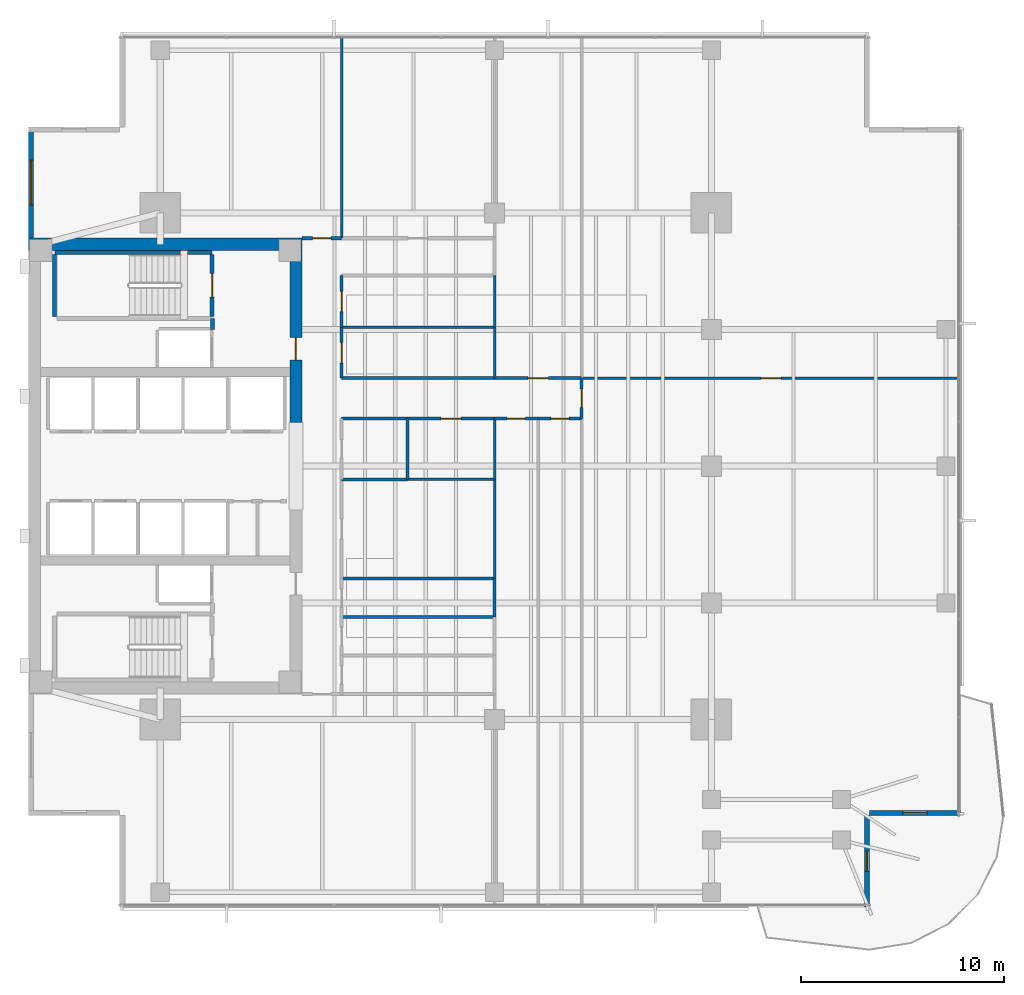
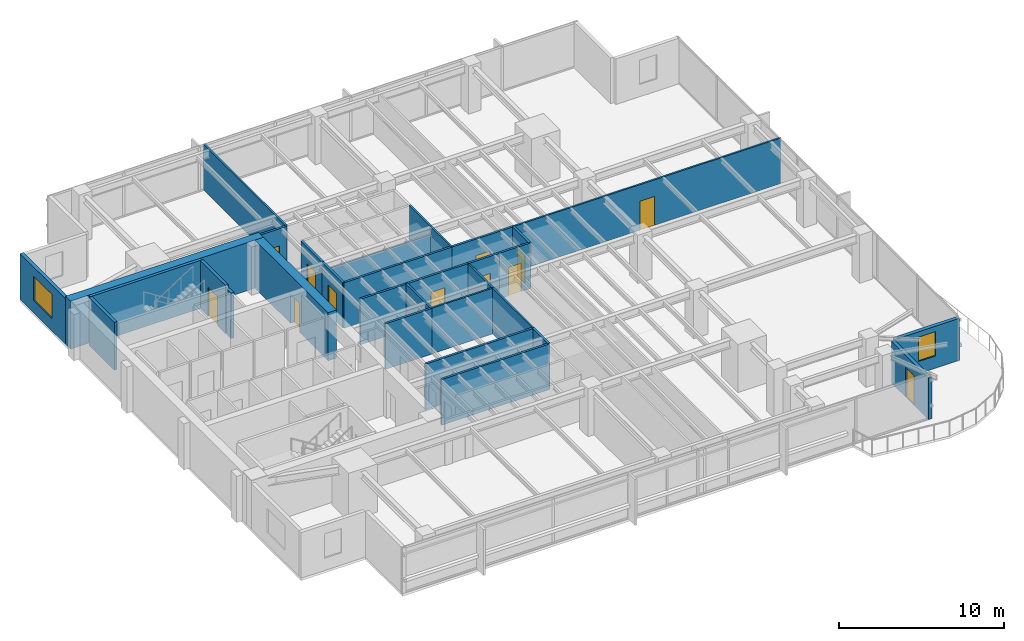
# One storey, part 9 of 14: 32 walls, 12 doors, 2 windows, 14 openings.
"""IFC4 building model written with IfcOpenShell, lengths in metres."""

from ifc_helpers import new_model, si_unit, direction, frame, frame_2d, origin, place, context, subcontext, project, spatial, rectangle, extrude, material, layer, layer_set, type_object, element, fill, save


model = new_model("IFC4")

# Units and contexts
model_context = context("Model", 3, precision=1e-05, world=origin(), true_north=direction((0.0, 1.0)))
body_context = subcontext(model_context, "Body", "Model", "MODEL_VIEW")
ifc_project = project(units=[si_unit("LENGTHUNIT", "METRE"), si_unit("AREAUNIT", "SQUARE_METRE"), si_unit("VOLUMEUNIT", "CUBIC_METRE"), si_unit("PLANEANGLEUNIT", "RADIAN"), si_unit("MASSUNIT", "GRAM", prefix="KILO")], contexts=[model_context])

# Site, building, storey
site_placement = place(None, origin())
site = spatial("IfcSite", under=ifc_project, at=site_placement, CompositionType="ELEMENT")
building_placement = place(site_placement, origin())
building = spatial("IfcBuilding", under=site, at=building_placement, Name="Kinhvarn Gate Tower", CompositionType="ELEMENT")
storey_placement = place(building_placement, frame((0.0, 0.0, 159.050048828125)))
storey = spatial("IfcBuildingStorey", under=building, at=storey_placement, Name="L42", CompositionType="ELEMENT", Elevation=159.050048828125)

# Wall
ifc_material_1 = material(Name="Concrete C60/75", Category="concrete")
ifc_layer_1 = layer(ifc_material_1, 0.60009765625)
ifc_layer_set_1 = layer_set([ifc_layer_1], Name="Concrete C60/75")
wall_type_1 = type_object("IfcWallType", Name="WL-CORE-600", PredefinedType="SHEAR", material=ifc_layer_set_1)
wall_1_placement = place(storey_placement, frame((4.5, 36.199951171875, 0.0), z_axis=(0.0, 0.0, 1.0), x_axis=(1.0, 0.0, 0.0)))
element("IfcWall", 1, at=wall_1_placement, inside=storey, type_object=wall_type_1, Name="Core North Shear Wall L42 600 mm", PredefinedType="SHEAR", context=body_context, shape_type="SweptSolid", body=[
    extrude(rectangle(XDim=13.5, YDim=0.60009765625, at=frame_2d((6.75, 0.0))), origin(), (0.0, 0.0, 1.0), 3.550048828125),
])

# Wall, opening, door
wall_2_placement = place(storey_placement, frame((17.699951171875, 27.050048828125, 0.0), z_axis=(0.0, 0.0, 1.0), x_axis=(0.0, 1.0, 0.0)))
wall_2 = element("IfcWall", 2, at=wall_2_placement, inside=storey, type_object=wall_type_1, Name="Core East-North Shear Pier L42 600 mm", PredefinedType="SHEAR", context=body_context, shape_type="SweptSolid", body=[
    extrude(rectangle(XDim=8.849853515625, YDim=0.60009765625, at=frame_2d((4.4248046875, 0.0))), origin(), (0.0, 0.0, 1.0), 3.550048828125),
])
opening_1_placement = place(wall_2_placement, frame((3.449951171875, 0.0, 0.0)))
opening_1 = element("IfcOpeningElement", 3, at=opening_1_placement, cuts=wall_2, Name="Opening FD-02", PredefinedType="OPENING", context=body_context, shape_type="SweptSolid", body=[
    extrude(rectangle(XDim=1.10009765625, YDim=2.14990234375, at=frame_2d((0.550048828125, 1.074951171875))), frame((0.0, 0.31005859375, 0.0), z_axis=(0.0, -1.0, 0.0), x_axis=(1.0, 0.0, 0.0)), (0.0, 0.0, 1.0), 0.6201171875),
])
ifc_material_2 = material(Name="Anodised aluminium AW-6063", Category="aluminium")
door_type_1 = type_object("IfcDoorType", Name="DR-FD-1100", OperationType="NOTDEFINED", PredefinedType="DOOR", material=ifc_material_2)
door_1_placement = place(opening_1_placement, origin())
door_1 = element("IfcDoor", 4, at=door_1_placement, inside=storey, type_object=door_type_1, Name="Firefighting Lobby Core Door (L42)", OperationType="SINGLE_SWING_LEFT", OverallHeight=2.14990234375, OverallWidth=1.10009765625, PredefinedType="DOOR", context=body_context, shape_type="SweptSolid", body=[
    extrude(rectangle(XDim=1.10009765625, YDim=2.14990234375, at=frame_2d((0.550048828125, 1.074951171875))), frame((0.0, 0.02490234375, 0.0), z_axis=(0.0, -1.0, 0.0), x_axis=(1.0, 0.0, 0.0)), (0.0, 0.0, 1.0), 0.050048828125),
])
fill(opening_1, door_1)

# Wall, opening, window
ifc_material_3 = material(Name="Fired architectural terracotta", Category="masonry")
ifc_layer_2 = layer(ifc_material_3, 0.25)
ifc_layer_set_2 = layer_set([ifc_layer_2], Name="Fired architectural terracotta")
wall_type_2 = type_object("IfcWallType", Name="WL-EXT-250", PredefinedType="SOLIDWALL", material=ifc_layer_set_2)
wall_3_placement = place(storey_placement, frame((4.625, 42.0, 0.0), z_axis=(0.0, 0.0, 1.0), x_axis=(0.0, -1.0, 0.0)))
wall_3 = element("IfcWall", 5, at=wall_3_placement, inside=storey, type_object=wall_type_2, Name="Exterior Solidwall Wall EW-250 (L42 West-North)", PredefinedType="SOLIDWALL", context=body_context, shape_type="SweptSolid", body=[
    extrude(rectangle(XDim=5.5, YDim=0.25, at=frame_2d((2.75, 0.0))), origin(), (0.0, 0.0, 1.0), 3.369873046875),
])
opening_2_placement = place(wall_3_placement, frame((1.64990234375, 0.0, 0.89990234375)))
opening_2 = element("IfcOpeningElement", 6, at=opening_2_placement, cuts=wall_3, Name="Opening WN-01", PredefinedType="OPENING", context=body_context, shape_type="SweptSolid", body=[
    extrude(rectangle(XDim=2.199951171875, YDim=1.800048828125, at=frame_2d((1.10009765625, 0.89990234375))), frame((0.0, 0.135009765625, 0.0), z_axis=(0.0, -1.0, 0.0), x_axis=(1.0, 0.0, 0.0)), (0.0, 0.0, 1.0), 0.27001953125),
])
ifc_material_4 = material(Name="Clear low-e double glazing", Category="glass")
window_type_1 = type_object("IfcWindowType", Name="WIN-RIB-2200", PartitioningType="SINGLE_PANEL", PredefinedType="WINDOW", material=ifc_material_4)
window_1_placement = place(opening_2_placement, origin())
window_1 = element("IfcWindow", 7, at=window_1_placement, inside=storey, type_object=window_type_1, Name="West Flank Double-Glazed Ribbon Window 2200x1800 mm (L42)", OverallHeight=1.800048828125, OverallWidth=2.199951171875, PartitioningType="SINGLE_PANEL", PredefinedType="WINDOW", context=body_context, shape_type="SweptSolid", body=[
    extrude(rectangle(XDim=2.199951171875, YDim=1.800048828125, at=frame_2d((1.10009765625, 0.89990234375))), frame((0.0, 0.030029296875, 0.0), z_axis=(0.0, -1.0, 0.0), x_axis=(1.0, 0.0, 0.0)), (0.0, 0.0, 1.0), 0.06005859375),
])
fill(opening_2, window_1)

# Wall, opening, door
wall_4_placement = place(storey_placement, frame((45.875, 3.5, 0.0), z_axis=(0.0, 0.0, 1.0), x_axis=(0.0, 1.0, 0.0)))
wall_4 = element("IfcWall", 8, at=wall_4_placement, inside=storey, type_object=wall_type_2, Name="Exterior Solidwall Wall EW-250 (L42 SE-Notch-Door)", PredefinedType="SOLIDWALL", context=body_context, shape_type="SweptSolid", body=[
    extrude(rectangle(XDim=4.5, YDim=0.25, at=frame_2d((2.25, 0.0))), origin(), (0.0, 0.0, 1.0), 3.070068359375),
])
opening_3_placement = place(wall_4_placement, frame((1.75, 0.0, 0.0)))
opening_3 = element("IfcOpeningElement", 9, at=opening_3_placement, cuts=wall_4, Name="Opening BD-01", PredefinedType="OPENING", context=body_context, shape_type="SweptSolid", body=[
    extrude(rectangle(XDim=1.0, YDim=2.199951171875, at=frame_2d((0.5, 1.10009765625))), frame((0.0, 0.135009765625, 0.0), z_axis=(0.0, -1.0, 0.0), x_axis=(1.0, 0.0, 0.0)), (0.0, 0.0, 1.0), 0.27001953125),
])
door_type_2 = type_object("IfcDoorType", Name="DR-BAL-1000", OperationType="NOTDEFINED", PredefinedType="DOOR", material=ifc_material_4)
door_2_placement = place(opening_3_placement, frame((1.0, 0.0, 0.0), z_axis=(0.0, 0.0, 1.0), x_axis=(-1.0, 0.0, 0.0)))
door_2 = element("IfcDoor", 10, at=door_2_placement, inside=storey, type_object=door_type_2, Name="S-Carve Balcony Door BD-01 (L42)", OperationType="SINGLE_SWING_LEFT", OverallHeight=2.199951171875, OverallWidth=1.0, PredefinedType="DOOR", context=body_context, shape_type="SweptSolid", body=[
    extrude(rectangle(XDim=1.0, YDim=2.199951171875, at=frame_2d((0.5, 1.10009765625))), frame((0.0, 0.02490234375, 0.0), z_axis=(0.0, -1.0, 0.0), x_axis=(1.0, 0.0, 0.0)), (0.0, 0.0, 1.0), 0.050048828125),
])
fill(opening_3, door_2)

# Wall, opening, window
wall_5_placement = place(storey_placement, frame((46.0, 8.125, 0.0), z_axis=(0.0, 0.0, 1.0), x_axis=(1.0, 0.0, 0.0)))
wall_5 = element("IfcWall", 11, at=wall_5_placement, inside=storey, type_object=wall_type_2, Name="Exterior Solidwall Wall EW-250 (L42 SE-Notch-Win)", PredefinedType="SOLIDWALL", context=body_context, shape_type="SweptSolid", body=[
    extrude(rectangle(XDim=4.5, YDim=0.25, at=frame_2d((2.25, 0.0))), origin(), (0.0, 0.0, 1.0), 3.099853515625),
])
opening_4_placement = place(wall_5_placement, frame((1.64990234375, 0.0, 0.89990234375)))
opening_4 = element("IfcOpeningElement", 12, at=opening_4_placement, cuts=wall_5, Name="Opening WN-02", PredefinedType="OPENING", context=body_context, shape_type="SweptSolid", body=[
    extrude(rectangle(XDim=1.199951171875, YDim=1.800048828125, at=frame_2d((0.60009765625, 0.89990234375))), frame((0.0, 0.135009765625, 0.0), z_axis=(0.0, -1.0, 0.0), x_axis=(1.0, 0.0, 0.0)), (0.0, 0.0, 1.0), 0.27001953125),
])
window_type_2 = type_object("IfcWindowType", Name="WIN-NTC-1200", PartitioningType="SINGLE_PANEL", PredefinedType="WINDOW", material=ifc_material_4)
window_2_placement = place(opening_4_placement, origin())
window_2 = element("IfcWindow", 13, at=window_2_placement, inside=storey, type_object=window_type_2, Name="Recessed Corner Notch Punched Window 1200x1800 mm (L42)", OverallHeight=1.800048828125, OverallWidth=1.199951171875, PartitioningType="SINGLE_PANEL", PredefinedType="WINDOW", context=body_context, shape_type="SweptSolid", body=[
    extrude(rectangle(XDim=1.199951171875, YDim=1.800048828125, at=frame_2d((0.60009765625, 0.89990234375))), frame((0.0, 0.030029296875, 0.0), z_axis=(0.0, -1.0, 0.0), x_axis=(1.0, 0.0, 0.0)), (0.0, 0.0, 1.0), 0.06005859375),
])
fill(opening_4, window_2)

# Walls
ifc_material_5 = material(Name="Gypsum acoustic partition board")
ifc_layer_3 = layer(ifc_material_5, 0.14990234375)
ifc_layer_set_3 = layer_set([ifc_layer_3], Name="Gypsum acoustic partition board")
wall_type_3 = type_object("IfcWallType", Name="WL-PLM-150", PredefinedType="PLUMBINGWALL", material=ifc_layer_set_3)
wall_6_placement = place(storey_placement, frame((23.199951171875, 24.60009765625, 0.0), z_axis=(0.0, 0.0, 1.0), x_axis=(0.0, 1.0, 0.0)))
element("IfcWall", 14, at=wall_6_placement, inside=storey, type_object=wall_type_3, Name="Interior Partition PLW-150 (L42)", PredefinedType="PLUMBINGWALL", context=body_context, shape_type="SweptSolid", body=[
    extrude(rectangle(XDim=3.0, YDim=0.14990234375, at=frame_2d((1.5, 0.0))), origin(), (0.0, 0.0, 1.0), 3.369873046875),
])
wall_7_placement = place(storey_placement, frame((19.949951171875, 24.60009765625, 0.0), z_axis=(0.0, 0.0, 1.0), x_axis=(1.0, 0.0, 0.0)))
element("IfcWall", 15, at=wall_7_placement, inside=storey, type_object=wall_type_3, Name="Interior Partition PLW-150 (L42)", PredefinedType="PLUMBINGWALL", context=body_context, shape_type="SweptSolid", body=[
    extrude(rectangle(XDim=3.25, YDim=0.14990234375, at=frame_2d((1.625, 0.0))), origin(), (0.0, 0.0, 1.0), 3.369873046875),
])
for number, where, z_axis, x_axis, name in (
    (16, (19.949951171875, 19.699951171875, 0.0), (0.0, 0.0, 1.0), (1.0, 0.0, 0.0), "Interior Partition PLW-150 (L42)"),
    (17, (19.949951171875, 17.800048828125, 0.0), (0.0, 0.0, 1.0), (1.0, 0.0, 0.0), "Interior Partition PLW-150 (L42)"),
):
    element("IfcWall", number, at=place(storey_placement, frame(where, z_axis=z_axis, x_axis=x_axis)), inside=storey, type_object=wall_type_3, Name=name, PredefinedType="PLUMBINGWALL", context=body_context, shape_type="SweptSolid", body=[
        extrude(rectangle(XDim=7.550048828125, YDim=0.14990234375, at=frame_2d((3.77490234375, 0.0))), origin(), (0.0, 0.0, 1.0), 3.369873046875),
    ])
wall_8_placement = place(storey_placement, frame((27.5, 17.800048828125, 0.0), z_axis=(0.0, 0.0, 1.0), x_axis=(0.0, 1.0, 0.0)))
element("IfcWall", 18, at=wall_8_placement, inside=storey, type_object=wall_type_3, Name="Interior Partition PLW-150 (L42)", PredefinedType="PLUMBINGWALL", context=body_context, shape_type="SweptSolid", body=[
    extrude(rectangle(XDim=1.89990234375, YDim=0.14990234375, at=frame_2d((0.949951171875, 0.0))), origin(), (0.0, 0.0, 1.0), 3.369873046875),
])
ifc_layer_4 = layer(ifc_material_5, 0.14990234375)
ifc_layer_set_4 = layer_set([ifc_layer_4], Name="Gypsum acoustic partition board")
wall_type_4 = type_object("IfcWallType", Name="WL-PLM-150F", PredefinedType="PLUMBINGWALL", material=ifc_layer_set_4)
wall_9_placement = place(storey_placement, frame((19.949951171875, 27.60009765625, 0.0), z_axis=(0.0, 0.0, 1.0), x_axis=(1.0, 0.0, 0.0)))
element("IfcWall", 19, at=wall_9_placement, inside=storey, type_object=wall_type_4, Name="Interior Partition PLW-150F (L42)", PredefinedType="PLUMBINGWALL", context=body_context, shape_type="SweptSolid", body=[
    extrude(rectangle(XDim=3.25, YDim=0.14990234375, at=frame_2d((1.625, 0.0))), origin(), (0.0, 0.0, 1.0), 3.369873046875),
])
ifc_layer_5 = layer(ifc_material_5, 0.1201171875)
ifc_layer_set_5 = layer_set([ifc_layer_5], Name="Gypsum acoustic partition board")
wall_type_5 = type_object("IfcWallType", Name="WL-PRT-120", PredefinedType="PARTITIONING", material=ifc_layer_set_5)
wall_10_placement = place(storey_placement, frame((23.199951171875, 24.60009765625, 0.0), z_axis=(0.0, 0.0, 1.0), x_axis=(1.0, 0.0, 0.0)))
element("IfcWall", 20, at=wall_10_placement, inside=storey, type_object=wall_type_5, Name="Interior Partition PW-120 (L42)", PredefinedType="PARTITIONING", context=body_context, shape_type="SweptSolid", body=[
    extrude(rectangle(XDim=4.300048828125, YDim=0.1201171875, at=frame_2d((2.14990234375, 0.0))), origin(), (0.0, 0.0, 1.0), 3.369873046875),
])
wall_11_placement = place(storey_placement, frame((27.5, 24.60009765625, 0.0), z_axis=(0.0, 0.0, 1.0), x_axis=(0.0, 1.0, 0.0)))
element("IfcWall", 21, at=wall_11_placement, inside=storey, type_object=wall_type_5, Name="Interior Partition PW-120 (L42)", PredefinedType="PARTITIONING", context=body_context, shape_type="SweptSolid", body=[
    extrude(rectangle(XDim=3.0, YDim=0.1201171875, at=frame_2d((1.5, 0.0))), origin(), (0.0, 0.0, 1.0), 3.369873046875),
])
wall_12_placement = place(storey_placement, frame((27.5, 19.699951171875, 0.0), z_axis=(0.0, 0.0, 1.0), x_axis=(0.0, 1.0, 0.0)))
element("IfcWall", 22, at=wall_12_placement, inside=storey, type_object=wall_type_5, Name="Interior Partition PW-120 (L42)", PredefinedType="PARTITIONING", context=body_context, shape_type="SweptSolid", body=[
    extrude(rectangle(XDim=4.900146484375, YDim=0.1201171875, at=frame_2d((2.4501953125, 0.0))), origin(), (0.0, 0.0, 1.0), 3.369873046875),
])
wall_13_placement = place(storey_placement, frame((19.949951171875, 32.10009765625, 0.0), z_axis=(0.0, 0.0, 1.0), x_axis=(1.0, 0.0, 0.0)))
element("IfcWall", 23, at=wall_13_placement, inside=storey, type_object=wall_type_5, Name="Interior Partition PW-120 (L42)", PredefinedType="PARTITIONING", context=body_context, shape_type="SweptSolid", body=[
    extrude(rectangle(XDim=7.550048828125, YDim=0.1201171875, at=frame_2d((3.77490234375, 0.0))), origin(), (0.0, 0.0, 1.0), 2.77001953125),
])
wall_14_placement = place(storey_placement, frame((27.5, 29.60009765625, 0.0), z_axis=(0.0, 0.0, 1.0), x_axis=(0.0, 1.0, 0.0)))
element("IfcWall", 24, at=wall_14_placement, inside=storey, type_object=wall_type_5, Name="Interior Partition PW-120 (L42)", PredefinedType="PARTITIONING", context=body_context, shape_type="SweptSolid", body=[
    extrude(rectangle(XDim=2.5, YDim=0.1201171875, at=frame_2d((1.25, 0.0))), origin(), (0.0, 0.0, 1.0), 3.369873046875),
])
wall_15_placement = place(storey_placement, frame((27.5, 32.10009765625, 0.0), z_axis=(0.0, 0.0, 1.0), x_axis=(0.0, 1.0, 0.0)))
element("IfcWall", 25, at=wall_15_placement, inside=storey, type_object=wall_type_5, Name="Interior Partition PW-120 (L42)", PredefinedType="PARTITIONING", context=body_context, shape_type="SweptSolid", body=[
    extrude(rectangle(XDim=2.5498046875, YDim=0.1201171875, at=frame_2d((1.27490234375, 0.0))), origin(), (0.0, 0.0, 1.0), 3.369873046875),
])
wall_16_placement = place(storey_placement, frame((19.949951171875, 36.5, 0.0), z_axis=(0.0, 0.0, 1.0), x_axis=(0.0, 1.0, 0.0)))
element("IfcWall", 26, at=wall_16_placement, inside=storey, type_object=wall_type_5, Name="Interior Partition PW-120 (L42)", PredefinedType="PARTITIONING", context=body_context, shape_type="SweptSolid", body=[
    extrude(rectangle(XDim=9.989990234375, YDim=0.1201171875, at=frame_2d((4.9951171875, 0.0))), origin(), (0.0, 0.0, 1.0), 3.369873046875),
])

# Wall, opening, door
wall_17_placement = place(storey_placement, frame((31.800048828125, 29.60009765625, 0.0), z_axis=(0.0, 0.0, 1.0), x_axis=(1.0, 0.0, 0.0)))
wall_17 = element("IfcWall", 27, at=wall_17_placement, inside=storey, type_object=wall_type_5, Name="Interior Partition PW-120 (L42)", PredefinedType="PARTITIONING", context=body_context, shape_type="SweptSolid", body=[
    extrude(rectangle(XDim=18.68994140625, YDim=0.1201171875, at=frame_2d((9.344970703125, 0.0))), origin(), (0.0, 0.0, 1.0), 3.369873046875),
])
opening_5_placement = place(wall_17_placement, frame((8.844970703125, 0.0, 0.0)))
opening_5 = element("IfcOpeningElement", 28, at=opening_5_placement, cuts=wall_17, Name="Opening ID-02", PredefinedType="OPENING", context=body_context, shape_type="SweptSolid", body=[
    extrude(rectangle(XDim=1.0, YDim=2.14990234375, at=frame_2d((0.5, 1.074951171875))), frame((0.0, 0.070068359375, 0.0), z_axis=(0.0, -1.0, 0.0), x_axis=(1.0, 0.0, 0.0)), (0.0, 0.0, 1.0), 0.14013671875),
])
door_type_3 = type_object("IfcDoorType", Name="DR-INT-1000", OperationType="NOTDEFINED", PredefinedType="DOOR", material=ifc_material_2)
door_3_placement = place(opening_5_placement, origin())
door_3 = element("IfcDoor", 29, at=door_3_placement, inside=storey, type_object=door_type_3, Name="Standard Office & Meeting Room Door 1000x2150 mm (L42)", OperationType="SINGLE_SWING_RIGHT", OverallHeight=2.14990234375, OverallWidth=1.0, PredefinedType="DOOR", context=body_context, shape_type="SweptSolid", body=[
    extrude(rectangle(XDim=1.0, YDim=2.14990234375, at=frame_2d((0.5, 1.074951171875))), frame((0.0, 0.02490234375, 0.0), z_axis=(0.0, -1.0, 0.0), x_axis=(1.0, 0.0, 0.0)), (0.0, 0.0, 1.0), 0.050048828125),
])
fill(opening_5, door_3)

ifc_layer_6 = layer(ifc_material_5, 0.14990234375)
ifc_layer_set_6 = layer_set([ifc_layer_6], Name="Gypsum acoustic partition board")
wall_type_6 = type_object("IfcWallType", Name="WL-PRT-150F", PredefinedType="PARTITIONING", material=ifc_layer_set_6)
wall_18_placement = place(storey_placement, frame((19.949951171875, 29.60009765625, 0.0), z_axis=(0.0, 0.0, 1.0), x_axis=(0.0, 1.0, 0.0)))
wall_18 = element("IfcWall", 30, at=wall_18_placement, inside=storey, type_object=wall_type_6, Name="Interior Partition PW-150F (L42)", PredefinedType="PARTITIONING", context=body_context, shape_type="SweptSolid", body=[
    extrude(rectangle(XDim=2.5, YDim=0.14990234375, at=frame_2d((1.25, 0.0))), origin(), (0.0, 0.0, 1.0), 3.369873046875),
])
opening_6_placement = place(wall_18_placement, frame((0.75, 0.0, 0.0)))
opening_6 = element("IfcOpeningElement", 31, at=opening_6_placement, cuts=wall_18, Name="Opening ID-02", PredefinedType="OPENING", context=body_context, shape_type="SweptSolid", body=[
    extrude(rectangle(XDim=1.0, YDim=2.14990234375, at=frame_2d((0.5, 1.074951171875))), frame((0.0, 0.0849609375, 0.0), z_axis=(0.0, -1.0, 0.0), x_axis=(1.0, 0.0, 0.0)), (0.0, 0.0, 1.0), 0.169921875),
])
door_4_placement = place(opening_6_placement, origin())
door_4 = element("IfcDoor", 32, at=door_4_placement, inside=storey, type_object=door_type_3, Name="Standard Office & Meeting Room Door 1000x2150 mm (L42)", OperationType="SINGLE_SWING_RIGHT", OverallHeight=2.14990234375, OverallWidth=1.0, PredefinedType="DOOR", context=body_context, shape_type="SweptSolid", body=[
    extrude(rectangle(XDim=1.0, YDim=2.14990234375, at=frame_2d((0.5, 1.074951171875))), frame((0.0, 0.02490234375, 0.0), z_axis=(0.0, -1.0, 0.0), x_axis=(1.0, 0.0, 0.0)), (0.0, 0.0, 1.0), 0.050048828125),
])
fill(opening_6, door_4)

wall_19_placement = place(storey_placement, frame((19.949951171875, 32.10009765625, 0.0), z_axis=(0.0, 0.0, 1.0), x_axis=(0.0, 1.0, 0.0)))
wall_19 = element("IfcWall", 33, at=wall_19_placement, inside=storey, type_object=wall_type_6, Name="Interior Partition PW-150F (L42)", PredefinedType="PARTITIONING", context=body_context, shape_type="SweptSolid", body=[
    extrude(rectangle(XDim=2.5498046875, YDim=0.14990234375, at=frame_2d((1.27490234375, 0.0))), origin(), (0.0, 0.0, 1.0), 3.369873046875),
])
opening_7_placement = place(wall_19_placement, frame((0.77490234375, 0.0, 0.0)))
opening_7 = element("IfcOpeningElement", 34, at=opening_7_placement, cuts=wall_19, Name="Opening ID-02", PredefinedType="OPENING", context=body_context, shape_type="SweptSolid", body=[
    extrude(rectangle(XDim=1.0, YDim=2.14990234375, at=frame_2d((0.5, 1.074951171875))), frame((0.0, 0.0849609375, 0.0), z_axis=(0.0, -1.0, 0.0), x_axis=(1.0, 0.0, 0.0)), (0.0, 0.0, 1.0), 0.169921875),
])
door_5_placement = place(opening_7_placement, origin())
door_5 = element("IfcDoor", 35, at=door_5_placement, inside=storey, type_object=door_type_3, Name="Standard Office & Meeting Room Door 1000x2150 mm (L42)", OperationType="SINGLE_SWING_LEFT", OverallHeight=2.14990234375, OverallWidth=1.0, PredefinedType="DOOR", context=body_context, shape_type="SweptSolid", body=[
    extrude(rectangle(XDim=1.0, YDim=2.14990234375, at=frame_2d((0.5, 1.074951171875))), frame((0.0, 0.02490234375, 0.0), z_axis=(0.0, -1.0, 0.0), x_axis=(1.0, 0.0, 0.0)), (0.0, 0.0, 1.0), 0.050048828125),
])
fill(opening_7, door_5)

wall_20_placement = place(storey_placement, frame((18.0, 36.5, 0.0), z_axis=(0.0, 0.0, 1.0), x_axis=(1.0, 0.0, 0.0)))
wall_20 = element("IfcWall", 36, at=wall_20_placement, inside=storey, type_object=wall_type_6, Name="Interior Partition PW-150F (L42)", PredefinedType="PARTITIONING", context=body_context, shape_type="SweptSolid", body=[
    extrude(rectangle(XDim=1.949951171875, YDim=0.14990234375, at=frame_2d((0.97509765625, 0.0))), origin(), (0.0, 0.0, 1.0), 3.369873046875),
])
opening_8_placement = place(wall_20_placement, frame((0.52490234375, 0.0, 0.0)))
opening_8 = element("IfcOpeningElement", 37, at=opening_8_placement, cuts=wall_20, Name="Opening ID-03", PredefinedType="OPENING", context=body_context, shape_type="SweptSolid", body=[
    extrude(rectangle(XDim=0.89990234375, YDim=2.10009765625, at=frame_2d((0.449951171875, 1.050048828125))), frame((0.0, 0.0849609375, 0.0), z_axis=(0.0, -1.0, 0.0), x_axis=(1.0, 0.0, 0.0)), (0.0, 0.0, 1.0), 0.169921875),
])
door_type_4 = type_object("IfcDoorType", Name="DR-INT-900", OperationType="NOTDEFINED", PredefinedType="DOOR", material=ifc_material_2)
door_6_placement = place(opening_8_placement, origin())
door_6 = element("IfcDoor", 38, at=door_6_placement, inside=storey, type_object=door_type_4, Name="Cellular Office & Restroom Door 900x2100 mm (L42)", OperationType="SINGLE_SWING_LEFT", OverallHeight=2.10009765625, OverallWidth=0.89990234375, PredefinedType="DOOR", context=body_context, shape_type="SweptSolid", body=[
    extrude(rectangle(XDim=0.89990234375, YDim=2.10009765625, at=frame_2d((0.449951171875, 1.050048828125))), frame((0.0, 0.02490234375, 0.0), z_axis=(0.0, -1.0, 0.0), x_axis=(1.0, 0.0, 0.0)), (0.0, 0.0, 1.0), 0.050048828125),
])
fill(opening_8, door_6)

wall_21_placement = place(storey_placement, frame((23.199951171875, 27.60009765625, 0.0), z_axis=(0.0, 0.0, 1.0), x_axis=(1.0, 0.0, 0.0)))
wall_21 = element("IfcWall", 39, at=wall_21_placement, inside=storey, type_object=wall_type_6, Name="Interior Partition PW-150F (L42)", PredefinedType="PARTITIONING", context=body_context, shape_type="SweptSolid", body=[
    extrude(rectangle(XDim=4.300048828125, YDim=0.14990234375, at=frame_2d((2.14990234375, 0.0))), origin(), (0.0, 0.0, 1.0), 3.369873046875),
])
opening_9_placement = place(wall_21_placement, frame((1.64990234375, 0.0, 0.0)))
opening_9 = element("IfcOpeningElement", 40, at=opening_9_placement, cuts=wall_21, Name="Opening ID-02", PredefinedType="OPENING", context=body_context, shape_type="SweptSolid", body=[
    extrude(rectangle(XDim=1.0, YDim=2.14990234375, at=frame_2d((0.5, 1.074951171875))), frame((0.0, 0.0849609375, 0.0), z_axis=(0.0, -1.0, 0.0), x_axis=(1.0, 0.0, 0.0)), (0.0, 0.0, 1.0), 0.169921875),
])
door_7_placement = place(opening_9_placement, origin())
door_7 = element("IfcDoor", 41, at=door_7_placement, inside=storey, type_object=door_type_3, Name="Standard Office & Meeting Room Door 1000x2150 mm (L42)", OperationType="SINGLE_SWING_RIGHT", OverallHeight=2.14990234375, OverallWidth=1.0, PredefinedType="DOOR", context=body_context, shape_type="SweptSolid", body=[
    extrude(rectangle(XDim=1.0, YDim=2.14990234375, at=frame_2d((0.5, 1.074951171875))), frame((0.0, 0.02490234375, 0.0), z_axis=(0.0, -1.0, 0.0), x_axis=(1.0, 0.0, 0.0)), (0.0, 0.0, 1.0), 0.050048828125),
])
fill(opening_9, door_7)

# Wall
wall_22_placement = place(storey_placement, frame((19.949951171875, 29.60009765625, 0.0), z_axis=(0.0, 0.0, 1.0), x_axis=(1.0, 0.0, 0.0)))
element("IfcWall", 42, at=wall_22_placement, inside=storey, type_object=wall_type_6, Name="Interior Partition PW-150F (L42)", PredefinedType="PARTITIONING", context=body_context, shape_type="SweptSolid", body=[
    extrude(rectangle(XDim=7.550048828125, YDim=0.14990234375, at=frame_2d((3.77490234375, 0.0))), origin(), (0.0, 0.0, 1.0), 3.369873046875),
])

# Wall, opening, door
wall_23_placement = place(storey_placement, frame((27.5, 27.60009765625, 0.0), z_axis=(0.0, 0.0, 1.0), x_axis=(1.0, 0.0, 0.0)))
wall_23 = element("IfcWall", 43, at=wall_23_placement, inside=storey, type_object=wall_type_6, Name="Interior Partition PW-150F (L42)", PredefinedType="PARTITIONING", context=body_context, shape_type="SweptSolid", body=[
    extrude(rectangle(XDim=2.14990234375, YDim=0.14990234375, at=frame_2d((1.074951171875, 0.0))), origin(), (0.0, 0.0, 1.0), 3.369873046875),
])
opening_10_placement = place(wall_23_placement, frame((0.625, 0.0, 0.0)))
opening_10 = element("IfcOpeningElement", 44, at=opening_10_placement, cuts=wall_23, Name="Opening ID-03", PredefinedType="OPENING", context=body_context, shape_type="SweptSolid", body=[
    extrude(rectangle(XDim=0.89990234375, YDim=2.10009765625, at=frame_2d((0.449951171875, 1.050048828125))), frame((0.0, 0.0849609375, 0.0), z_axis=(0.0, -1.0, 0.0), x_axis=(1.0, 0.0, 0.0)), (0.0, 0.0, 1.0), 0.169921875),
])
door_8_placement = place(opening_10_placement, origin())
door_8 = element("IfcDoor", 45, at=door_8_placement, inside=storey, type_object=door_type_4, Name="Cellular Office & Restroom Door 900x2100 mm (L42)", OperationType="SINGLE_SWING_LEFT", OverallHeight=2.10009765625, OverallWidth=0.89990234375, PredefinedType="DOOR", context=body_context, shape_type="SweptSolid", body=[
    extrude(rectangle(XDim=0.89990234375, YDim=2.10009765625, at=frame_2d((0.449951171875, 1.050048828125))), frame((0.0, 0.02490234375, 0.0), z_axis=(0.0, -1.0, 0.0), x_axis=(1.0, 0.0, 0.0)), (0.0, 0.0, 1.0), 0.050048828125),
])
fill(opening_10, door_8)

wall_24_placement = place(storey_placement, frame((29.64990234375, 27.60009765625, 0.0), z_axis=(0.0, 0.0, 1.0), x_axis=(1.0, 0.0, 0.0)))
wall_24 = element("IfcWall", 46, at=wall_24_placement, inside=storey, type_object=wall_type_6, Name="Interior Partition PW-150F (L42)", PredefinedType="PARTITIONING", context=body_context, shape_type="SweptSolid", body=[
    extrude(rectangle(XDim=2.150146484375, YDim=0.14990234375, at=frame_2d((1.0751953125, 0.0))), origin(), (0.0, 0.0, 1.0), 3.369873046875),
])
opening_11_placement = place(wall_24_placement, frame((0.625, 0.0, 0.0)))
opening_11 = element("IfcOpeningElement", 47, at=opening_11_placement, cuts=wall_24, Name="Opening ID-03", PredefinedType="OPENING", context=body_context, shape_type="SweptSolid", body=[
    extrude(rectangle(XDim=0.89990234375, YDim=2.10009765625, at=frame_2d((0.449951171875, 1.050048828125))), frame((0.0, 0.0849609375, 0.0), z_axis=(0.0, -1.0, 0.0), x_axis=(1.0, 0.0, 0.0)), (0.0, 0.0, 1.0), 0.169921875),
])
door_9_placement = place(opening_11_placement, origin())
door_9 = element("IfcDoor", 48, at=door_9_placement, inside=storey, type_object=door_type_4, Name="Cellular Office & Restroom Door 900x2100 mm (L42)", OperationType="SINGLE_SWING_RIGHT", OverallHeight=2.10009765625, OverallWidth=0.89990234375, PredefinedType="DOOR", context=body_context, shape_type="SweptSolid", body=[
    extrude(rectangle(XDim=0.89990234375, YDim=2.10009765625, at=frame_2d((0.449951171875, 1.050048828125))), frame((0.0, 0.02490234375, 0.0), z_axis=(0.0, -1.0, 0.0), x_axis=(1.0, 0.0, 0.0)), (0.0, 0.0, 1.0), 0.050048828125),
])
fill(opening_11, door_9)

wall_25_placement = place(storey_placement, frame((27.5, 29.60009765625, 0.0), z_axis=(0.0, 0.0, 1.0), x_axis=(1.0, 0.0, 0.0)))
wall_25 = element("IfcWall", 49, at=wall_25_placement, inside=storey, type_object=wall_type_6, Name="Interior Partition PW-150F (L42)", PredefinedType="PARTITIONING", context=body_context, shape_type="SweptSolid", body=[
    extrude(rectangle(XDim=4.300048828125, YDim=0.14990234375, at=frame_2d((2.14990234375, 0.0))), origin(), (0.0, 0.0, 1.0), 3.369873046875),
])
opening_12_placement = place(wall_25_placement, frame((1.64990234375, 0.0, 0.0)))
opening_12 = element("IfcOpeningElement", 50, at=opening_12_placement, cuts=wall_25, Name="Opening ID-02", PredefinedType="OPENING", context=body_context, shape_type="SweptSolid", body=[
    extrude(rectangle(XDim=1.0, YDim=2.14990234375, at=frame_2d((0.5, 1.074951171875))), frame((0.0, 0.0849609375, 0.0), z_axis=(0.0, -1.0, 0.0), x_axis=(1.0, 0.0, 0.0)), (0.0, 0.0, 1.0), 0.169921875),
])
door_10_placement = place(opening_12_placement, origin())
door_10 = element("IfcDoor", 51, at=door_10_placement, inside=storey, type_object=door_type_3, Name="Standard Office & Meeting Room Door 1000x2150 mm (L42)", OperationType="SINGLE_SWING_LEFT", OverallHeight=2.14990234375, OverallWidth=1.0, PredefinedType="DOOR", context=body_context, shape_type="SweptSolid", body=[
    extrude(rectangle(XDim=1.0, YDim=2.14990234375, at=frame_2d((0.5, 1.074951171875))), frame((0.0, 0.02490234375, 0.0), z_axis=(0.0, -1.0, 0.0), x_axis=(1.0, 0.0, 0.0)), (0.0, 0.0, 1.0), 0.050048828125),
])
fill(opening_12, door_10)

wall_26_placement = place(storey_placement, frame((31.800048828125, 27.60009765625, 0.0), z_axis=(0.0, 0.0, 1.0), x_axis=(0.0, 1.0, 0.0)))
wall_26 = element("IfcWall", 52, at=wall_26_placement, inside=storey, type_object=wall_type_6, Name="Interior Partition PW-150F (L42)", PredefinedType="PARTITIONING", context=body_context, shape_type="SweptSolid", body=[
    extrude(rectangle(XDim=2.0, YDim=0.14990234375, at=frame_2d((1.0, 0.0))), origin(), (0.0, 0.0, 1.0), 3.369873046875),
])
opening_13_placement = place(wall_26_placement, frame((0.550048828125, 0.0, 0.0)))
opening_13 = element("IfcOpeningElement", 53, at=opening_13_placement, cuts=wall_26, Name="Opening ID-03", PredefinedType="OPENING", context=body_context, shape_type="SweptSolid", body=[
    extrude(rectangle(XDim=0.89990234375, YDim=2.10009765625, at=frame_2d((0.449951171875, 1.050048828125))), frame((0.0, 0.0849609375, 0.0), z_axis=(0.0, -1.0, 0.0), x_axis=(1.0, 0.0, 0.0)), (0.0, 0.0, 1.0), 0.169921875),
])
door_11_placement = place(opening_13_placement, origin())
door_11 = element("IfcDoor", 54, at=door_11_placement, inside=storey, type_object=door_type_4, Name="Cellular Office & Restroom Door 900x2100 mm (L42)", OperationType="SINGLE_SWING_RIGHT", OverallHeight=2.10009765625, OverallWidth=0.89990234375, PredefinedType="DOOR", context=body_context, shape_type="SweptSolid", body=[
    extrude(rectangle(XDim=0.89990234375, YDim=2.10009765625, at=frame_2d((0.449951171875, 1.050048828125))), frame((0.0, 0.02490234375, 0.0), z_axis=(0.0, -1.0, 0.0), x_axis=(1.0, 0.0, 0.0)), (0.0, 0.0, 1.0), 0.050048828125),
])
fill(opening_13, door_11)

# Walls
ifc_layer_7 = layer(ifc_material_5, 0.199951171875)
ifc_layer_set_7 = layer_set([ifc_layer_7], Name="Gypsum acoustic partition board")
wall_type_7 = type_object("IfcWallType", Name="WL-PRT-200", PredefinedType="PARTITIONING", material=ifc_layer_set_7)
wall_27_placement = place(storey_placement, frame((13.580078125, 32.0, 0.0), z_axis=(0.0, 0.0, 1.0), x_axis=(0.0, 1.0, 0.0)))
element("IfcWall", 55, at=wall_27_placement, inside=storey, type_object=wall_type_7, Name="Interior Partition PW-200 (L42)", PredefinedType="PARTITIONING", context=body_context, shape_type="SweptSolid", body=[
    extrude(rectangle(XDim=0.5400390625, YDim=0.199951171875, at=frame_2d((0.27001953125, 0.0))), origin(), (0.0, 0.0, 1.0), 3.369873046875),
])
ifc_material_6 = material(Name="Concrete C40/50", Category="concrete")
ifc_layer_8 = layer(ifc_material_6, 0.199951171875)
ifc_layer_set_8 = layer_set([ifc_layer_8], Name="Concrete C40/50")
wall_type_8 = type_object("IfcWallType", Name="WL-SHF-200", PredefinedType="SOLIDWALL", material=ifc_layer_set_8)
wall_28_placement = place(storey_placement, frame((5.800048828125, 35.800048828125, 0.0), z_axis=(0.0, 0.0, 1.0), x_axis=(1.0, 0.0, 0.0)))
element("IfcWall", 56, at=wall_28_placement, inside=storey, type_object=wall_type_8, Name="Stair ST2 North Shaft Wall (L42)", PredefinedType="SOLIDWALL", context=body_context, shape_type="SweptSolid", body=[
    extrude(rectangle(XDim=7.75, YDim=0.199951171875, at=frame_2d((3.875, 0.0))), origin(), (0.0, 0.0, 1.0), 3.550048828125),
])
wall_29_placement = place(storey_placement, frame((5.7900390625, 32.64990234375, 0.0), z_axis=(0.0, 0.0, 1.0), x_axis=(0.0, 1.0, 0.0)))
element("IfcWall", 57, at=wall_29_placement, inside=storey, type_object=wall_type_8, Name="Stair ST2 West Shaft Wall (L42)", PredefinedType="SOLIDWALL", context=body_context, shape_type="SweptSolid", body=[
    extrude(rectangle(XDim=3.050048828125, YDim=0.199951171875, at=frame_2d((1.52490234375, 0.0))), origin(), (0.0, 0.0, 1.0), 3.550048828125),
])

# Wall, opening, door
wall_30_placement = place(storey_placement, frame((13.56005859375, 32.64990234375, 0.0), z_axis=(0.0, 0.0, 1.0), x_axis=(0.0, 1.0, 0.0)))
wall_30 = element("IfcWall", 58, at=wall_30_placement, inside=storey, type_object=wall_type_8, Name="Stair ST2 East Entry Wall (L42)", PredefinedType="SOLIDWALL", context=body_context, shape_type="SweptSolid", body=[
    extrude(rectangle(XDim=3.050048828125, YDim=0.199951171875, at=frame_2d((1.52490234375, 0.0))), origin(), (0.0, 0.0, 1.0), 3.550048828125),
])
opening_14_placement = place(wall_30_placement, frame((0.949951171875, 0.0, 0.0)))
opening_14 = element("IfcOpeningElement", 59, at=opening_14_placement, cuts=wall_30, Name="Opening FD-01", PredefinedType="OPENING", context=body_context, shape_type="SweptSolid", body=[
    extrude(rectangle(XDim=1.14990234375, YDim=2.14990234375, at=frame_2d((0.574951171875, 1.074951171875))), frame((0.0, 0.10986328125, 0.0), z_axis=(0.0, -1.0, 0.0), x_axis=(1.0, 0.0, 0.0)), (0.0, 0.0, 1.0), 0.219970703125),
])
door_type_5 = type_object("IfcDoorType", Name="DR-ST-1150", OperationType="NOTDEFINED", PredefinedType="DOOR", material=ifc_material_2)
door_12_placement = place(opening_14_placement, origin())
door_12 = element("IfcDoor", 60, at=door_12_placement, inside=storey, type_object=door_type_5, Name="Exit Stair ST2 Fire Door (L42)", OperationType="SINGLE_SWING_LEFT", OverallHeight=2.14990234375, OverallWidth=1.14990234375, PredefinedType="DOOR", context=body_context, shape_type="SweptSolid", body=[
    extrude(rectangle(XDim=1.14990234375, YDim=2.14990234375, at=frame_2d((0.574951171875, 1.074951171875))), frame((0.0, 0.02490234375, 0.0), z_axis=(0.0, -1.0, 0.0), x_axis=(1.0, 0.0, 0.0)), (0.0, 0.0, 1.0), 0.050048828125),
])
fill(opening_14, door_12)

save(model, "model.ifc")
